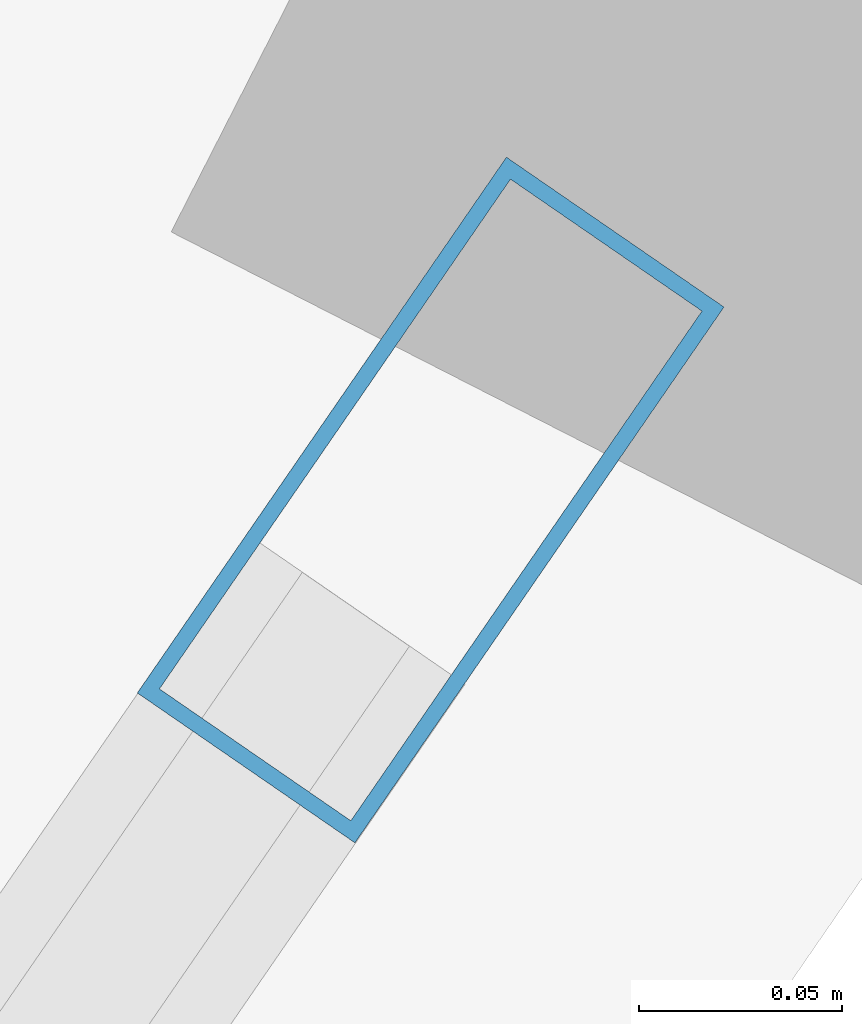
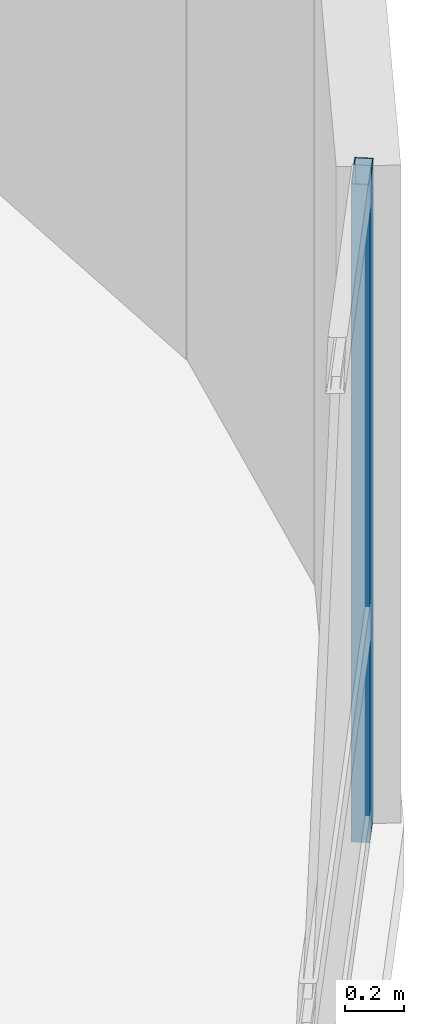
# One storey, part 12 of 26: 1 member, 1 element without a shape of its own.
"""IFC4 building model written with IfcOpenShell, lengths in metres."""

from ifc_helpers import new_model, si_unit, direction, frame, origin, origin_2d, place, context, subcontext, project, spatial, hollow_rectangle, extrude, material, layer, layer_set, material_profile, profile_set, type_object, element, aggregate, save


model = new_model("IFC4")

# Units and contexts
model_context = context("Model", 3, precision=1e-05, world=origin(), true_north=direction((0.0, 1.0)))
body_context = subcontext(model_context, "Body", "Model", "MODEL_VIEW")
ifc_project = project(units=[si_unit("LENGTHUNIT", "METRE"), si_unit("AREAUNIT", "SQUARE_METRE"), si_unit("VOLUMEUNIT", "CUBIC_METRE"), si_unit("PLANEANGLEUNIT", "RADIAN"), si_unit("MASSUNIT", "GRAM", prefix="KILO")], contexts=[model_context])

# Site, building, storey
site_placement = place(None, origin())
site = spatial("IfcSite", under=ifc_project, at=site_placement, CompositionType="ELEMENT")
building_placement = place(site_placement, origin())
building = spatial("IfcBuilding", under=site, at=building_placement, Name="Varnelok Gate Tower", CompositionType="ELEMENT")
storey_placement = place(building_placement, frame((0.0, 0.0, 27.0)))
storey = spatial("IfcBuildingStorey", under=building, at=storey_placement, Name="L05", CompositionType="ELEMENT", Elevation=27.0)

# Curtain wall, member
ifc_material = material(Name="Anodized Aluminum Alloy 6063-T6", Category="aluminium")
ifc_layer = layer(ifc_material, 0.179931640625)
ifc_layer_set = layer_set([ifc_layer], Name="Anodized Aluminum Alloy 6063-T6")
curtain_wall_type = type_object("IfcCurtainWallType", Name="CW3-HOTEL-VISION", PredefinedType="USERDEFINED", material=ifc_layer_set)
curtain_wall_placement = place(storey_placement, origin())
curtain_wall = element("IfcCurtainWall", 1, at=curtain_wall_placement, inside=storey, type_object=curtain_wall_type, Name="L05 East End Vision Curtain Wall", ObjectType="UNITISED CURTAIN WALL", PredefinedType="USERDEFINED")
ifc_material_profile = material_profile(ifc_material, hollow_rectangle(XDim=0.06494140625, YDim=0.159912109375, WallThickness=0.00390625, at=origin_2d()), Name="ALU160X65X4")
ifc_profile_set = profile_set([ifc_material_profile], Name="Anodized Aluminum Alloy 6063-T6")
member_type = type_object("IfcMemberType", Name="CW-MULL-160", PredefinedType="MULLION", material=ifc_profile_set)
member_placement = place(storey_placement, frame((82.52392578125, 19.33935546875, 0.0), z_axis=(0.0, 0.0, 1.0), x_axis=(0.823532685111, -0.567268822124, 0.0)))
member = element("IfcMember", 2, at=member_placement, type_object=member_type, Name="CW3 mullion 1", PredefinedType="MULLION", context=body_context, shape_type="SweptSolid", body=[
    extrude(hollow_rectangle(XDim=0.06494140625, YDim=0.159912109375, WallThickness=0.00390625, at=origin_2d()), origin(), (0.0, 0.0, 1.0), 2.72998046875),
])
aggregate(curtain_wall, [member])

save(model, "model.ifc")
